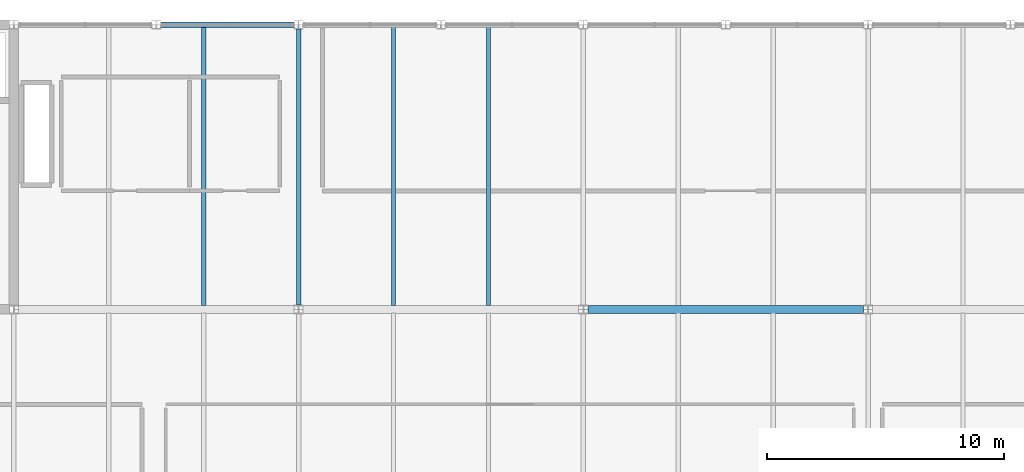
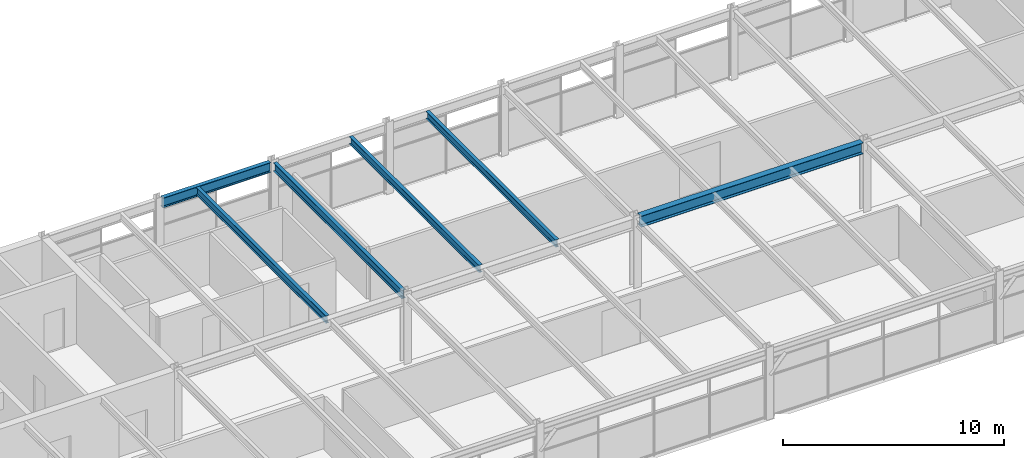
# One storey, part 19 of 40: 6 beams.
"""IFC4 building model written with IfcOpenShell, lengths in metres."""

from ifc_helpers import new_model, si_unit, direction, frame, origin, origin_2d, place, context, subcontext, project, spatial, i_section, extrude, material, material_profile, profile_set, type_object, element, save


model = new_model("IFC4")

# Units and contexts
model_context = context("Model", 3, precision=1e-05, world=origin(), true_north=direction((0.0, 1.0)))
body_context = subcontext(model_context, "Body", "Model", "MODEL_VIEW")
ifc_project = project(units=[si_unit("LENGTHUNIT", "METRE"), si_unit("AREAUNIT", "SQUARE_METRE"), si_unit("VOLUMEUNIT", "CUBIC_METRE"), si_unit("PLANEANGLEUNIT", "RADIAN"), si_unit("MASSUNIT", "GRAM", prefix="KILO")], contexts=[model_context])

# Site, building, storey
site_placement = place(None, origin())
site = spatial("IfcSite", under=ifc_project, at=site_placement, CompositionType="ELEMENT")
building_placement = place(site_placement, origin())
building = spatial("IfcBuilding", under=site, at=building_placement, Name="Girod Span Mobility Hub", CompositionType="ELEMENT")
storey_placement = place(building_placement, frame((0.0, 0.0, 57.60009765625)))
storey = spatial("IfcBuildingStorey", under=building, at=storey_placement, Name="L14", CompositionType="ELEMENT", Elevation=57.60009765625)

# Beams
ifc_material_1 = material(Name="Steel A992 Grade 50", Category="steel")
ifc_material_profile_1 = material_profile(ifc_material_1, i_section(OverallWidth=0.178955078125, OverallDepth=0.409912109375, WebThickness=0.0087890625, FlangeThickness=0.014404296875, FilletRadius=0.012939453125, at=origin_2d()), Name="W16X45")
ifc_profile_set_1 = profile_set([ifc_material_profile_1], Name="Steel A992 Grade 50")
beam_type_1 = type_object("IfcBeamType", Name="BM-STL-W16X45", PredefinedType="BEAM", material=ifc_profile_set_1)
for number, where, z_axis, x_axis, name in (
    (1, (68.0, 57.158935546875, 3.64501953125), (0.0, 1.0, 0.0), (-1.0, 0.0, 0.0), "Composite Floorbeam 6/E-2 L14"),
    (2, (76.0, 57.158935546875, 3.64501953125), (0.0, 1.0, 0.0), (-1.0, 0.0, 0.0), "Composite Floorbeam 7/E-1 L14"),
    (3, (80.0, 57.158935546875, 3.64501953125), (0.0, 1.0, 0.0), (-1.0, 0.0, 0.0), "Composite Floorbeam 7/E-2 L14"),
):
    element("IfcBeam", number, at=place(storey_placement, frame(where, z_axis=z_axis, x_axis=x_axis)), inside=storey, type_object=beam_type_1, Name=name, PredefinedType="BEAM", context=body_context, shape_type="SweptSolid", body=[
        extrude(i_section(OverallWidth=0.178955078125, OverallDepth=0.409912109375, WebThickness=0.0087890625, FlangeThickness=0.014404296875, FilletRadius=0.012939453125, at=origin_2d()), origin(), (0.0, 0.0, 1.0), 11.738037109375),
    ])
ifc_material_2 = material(Name="Steel A992 Grade 50", Category="steel")
ifc_material_profile_2 = material_profile(ifc_material_2, i_section(OverallWidth=0.19189453125, OverallDepth=0.462890625, WebThickness=0.010498046875, FlangeThickness=0.017578125, FilletRadius=0.013916015625, at=origin_2d()), Name="W18X60")
ifc_profile_set_2 = profile_set([ifc_material_profile_2], Name="Steel A992 Grade 50")
beam_type_2 = type_object("IfcBeamType", Name="BM-STL-W18X60", PredefinedType="BEAM", material=ifc_profile_set_2)
beam_1_placement = place(storey_placement, frame((72.0, 57.1845703125, 3.618408203125), z_axis=(0.0, 1.0, 0.0), x_axis=(-1.0, 0.0, 0.0)))
element("IfcBeam", 4, at=beam_1_placement, inside=storey, type_object=beam_type_2, Name="Tie Girder 7/E-F L14", PredefinedType="BEAM", context=body_context, shape_type="SweptSolid", body=[
    extrude(i_section(OverallWidth=0.19189453125, OverallDepth=0.462890625, WebThickness=0.010498046875, FlangeThickness=0.017578125, FilletRadius=0.013916015625, at=origin_2d()), origin(), (0.0, 0.0, 1.0), 11.640380859375),
])
ifc_material_3 = material(Name="Steel A992 Grade 50", Category="steel")
ifc_material_profile_3 = material_profile(ifc_material_3, i_section(OverallWidth=0.2119140625, OverallDepth=0.5439453125, WebThickness=0.01318359375, FlangeThickness=0.021240234375, FilletRadius=0.014892578125, at=origin_2d()), Name="W21X83")
ifc_profile_set_3 = profile_set([ifc_material_profile_3], Name="Steel A992 Grade 50")
beam_type_3 = type_object("IfcBeamType", Name="BM-STL-W21X83", PredefinedType="SPANDREL", material=ifc_profile_set_3)
beam_2_placement = place(storey_placement, frame((66.181396484375, 69.0, 3.577880859375), z_axis=(1.0, 0.0, 0.0), x_axis=(0.0, 1.0, 0.0)))
element("IfcBeam", 5, at=beam_2_placement, inside=storey, type_object=beam_type_3, Name="Spandrel Beam 6-7/F-E L14", PredefinedType="SPANDREL", context=body_context, shape_type="SweptSolid", body=[
    extrude(i_section(OverallWidth=0.2119140625, OverallDepth=0.5439453125, WebThickness=0.01318359375, FlangeThickness=0.021240234375, FilletRadius=0.014892578125, at=origin_2d()), origin(), (0.0, 0.0, 1.0), 5.63720703125),
])
ifc_material_4 = material(Name="Steel A992 Grade 50", Category="steel")
ifc_material_profile_4 = material_profile(ifc_material_4, i_section(OverallWidth=0.323974609375, OverallDepth=0.611083984375, WebThickness=0.0126953125, FlangeThickness=0.01904296875, FilletRadius=0.014892578125, at=origin_2d()), Name="W24X104")
ifc_profile_set_4 = profile_set([ifc_material_profile_4], Name="Steel A992 Grade 50")
beam_type_4 = type_object("IfcBeamType", Name="BM-STL-W24X104", PredefinedType="BEAM", material=ifc_profile_set_4)
beam_3_placement = place(storey_placement, frame((84.194091796875, 57.0, 3.54443359375), z_axis=(1.0, 0.0, 0.0), x_axis=(0.0, 1.0, 0.0)))
element("IfcBeam", 6, at=beam_3_placement, inside=storey, type_object=beam_type_4, Name="Girder 8-9/E L14", PredefinedType="BEAM", context=body_context, shape_type="SweptSolid", body=[
    extrude(i_section(OverallWidth=0.323974609375, OverallDepth=0.611083984375, WebThickness=0.0126953125, FlangeThickness=0.01904296875, FilletRadius=0.014892578125, at=origin_2d()), origin(), (0.0, 0.0, 1.0), 11.61181640625),
])

save(model, "model.ifc")
